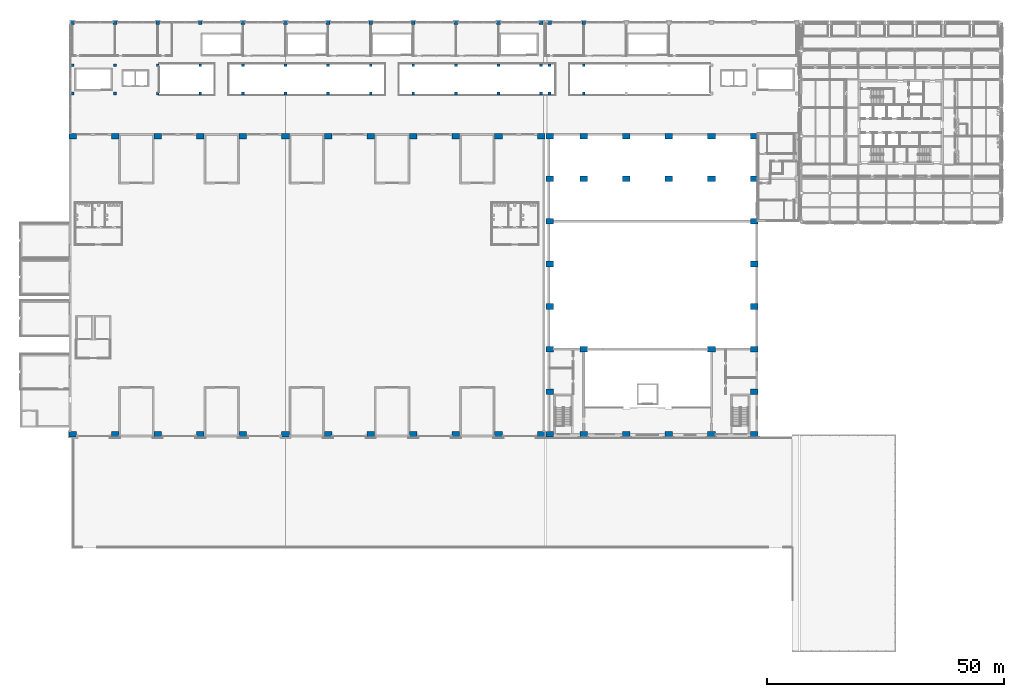
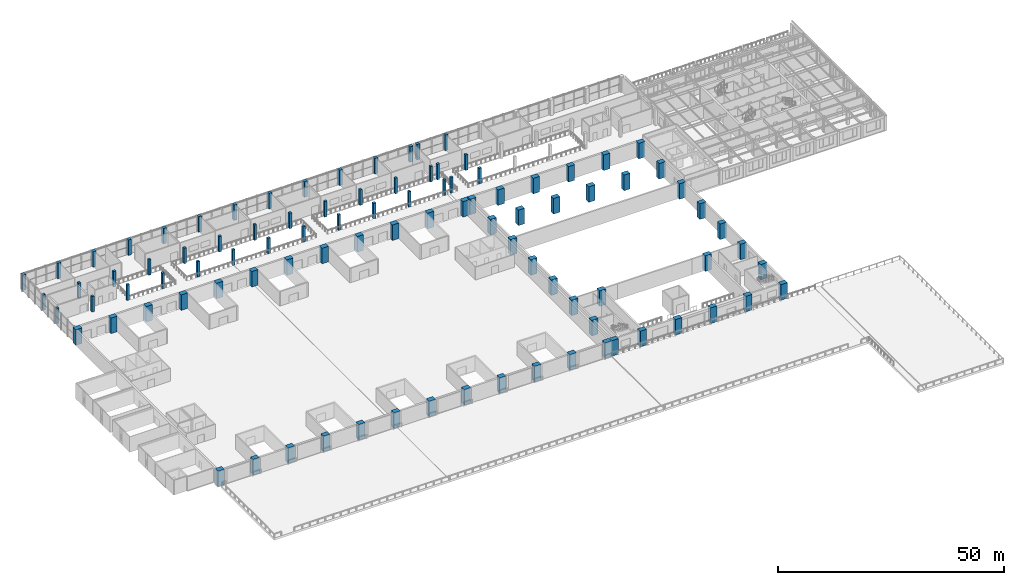
# One storey, part 1 of 39: 96 columns.
"""IFC4 building model written with IfcOpenShell, lengths in metres."""

from ifc_helpers import new_model, si_unit, direction, frame, origin, origin_2d, place, context, subcontext, project, spatial, rectangle, extrude, material, material_profile, profile_set, type_object, element, save


model = new_model("IFC4")

# Units and contexts
model_context = context("Model", 3, precision=1e-05, world=origin(), true_north=direction((0.0, 1.0)))
body_context = subcontext(model_context, "Body", "Model", "MODEL_VIEW")
ifc_project = project(units=[si_unit("LENGTHUNIT", "METRE"), si_unit("AREAUNIT", "SQUARE_METRE"), si_unit("VOLUMEUNIT", "CUBIC_METRE"), si_unit("PLANEANGLEUNIT", "RADIAN"), si_unit("MASSUNIT", "GRAM", prefix="KILO")], contexts=[model_context])

# Site, building, storey
site_placement = place(None, origin())
site = spatial("IfcSite", under=ifc_project, at=site_placement, CompositionType="ELEMENT")
building_placement = place(site_placement, origin())
building = spatial("IfcBuilding", under=site, at=building_placement, Name="Aravalli Gate Trade Fair Centre", CompositionType="ELEMENT")
storey_placement = place(building_placement, frame((0.0, 0.0, 15.0)))
storey = spatial("IfcBuildingStorey", under=building, at=storey_placement, Name="L03", CompositionType="ELEMENT", Elevation=15.0)

# Columns
ifc_material = material(Name="Concrete M45", Category="concrete")
ifc_material_profile_1 = material_profile(ifc_material, rectangle(XDim=1.60009765625, YDim=1.199951171875, at=origin_2d()), Name="RC 1600x1200")
ifc_profile_set_1 = profile_set([ifc_material_profile_1], Name="Concrete M45")
column_type_1 = type_object("IfcColumnType", Name="Congress RC column 1600 x 1200", PredefinedType="COLUMN", material=ifc_profile_set_1)
for number, where, z_axis, x_axis, name in (
    (1, (106.800048828125, 46.0, 0.0), (0.0, 0.0, 1.0), (1.0, 0.0, 0.0), "Congress column 106.8/46 L03"),
    (2, (114.0, 46.0, 0.0), (0.0, 0.0, 1.0), (1.0, 0.0, 0.0), "Congress column 114.0/46 L03"),
    (3, (123.0, 46.0, 0.0), (0.0, 0.0, 1.0), (1.0, 0.0, 0.0), "Congress column 123.0/46 L03"),
    (4, (132.0, 46.0, 0.0), (0.0, 0.0, 1.0), (1.0, 0.0, 0.0), "Congress column 132.0/46 L03"),
    (5, (141.0, 46.0, 0.0), (0.0, 0.0, 1.0), (1.0, 0.0, 0.0), "Congress column 141.0/46 L03"),
    (6, (150.0, 46.0, 0.0), (0.0, 0.0, 1.0), (1.0, 0.0, 0.0), "Congress column 150.0/46 L03"),
    (7, (106.800048828125, 55.0, 0.0), (0.0, 0.0, 1.0), (1.0, 0.0, 0.0), "Congress column 106.8/55 L03"),
    (8, (150.0, 55.0, 0.0), (0.0, 0.0, 1.0), (1.0, 0.0, 0.0), "Congress column 150.0/55 L03"),
    (9, (106.800048828125, 64.0, 0.0), (0.0, 0.0, 1.0), (1.0, 0.0, 0.0), "Congress column 106.8/64 L03"),
    (10, (150.0, 64.0, 0.0), (0.0, 0.0, 1.0), (1.0, 0.0, 0.0), "Congress column 150.0/64 L03"),
    (11, (106.800048828125, 73.0, 0.0), (0.0, 0.0, 1.0), (1.0, 0.0, 0.0), "Congress column 106.8/73 L03"),
    (12, (150.0, 73.0, 0.0), (0.0, 0.0, 1.0), (1.0, 0.0, 0.0), "Congress column 150.0/73 L03"),
    (13, (106.800048828125, 82.0, 0.0), (0.0, 0.0, 1.0), (1.0, 0.0, 0.0), "Congress column 106.8/82 L03"),
    (14, (150.0, 82.0, 0.0), (0.0, 0.0, 1.0), (1.0, 0.0, 0.0), "Congress column 150.0/82 L03"),
    (15, (106.800048828125, 91.0, 0.0), (0.0, 0.0, 1.0), (1.0, 0.0, 0.0), "Congress column 106.8/91 L03"),
    (16, (150.0, 91.0, 0.0), (0.0, 0.0, 1.0), (1.0, 0.0, 0.0), "Congress column 150.0/91 L03"),
    (17, (106.800048828125, 100.0, 0.0), (0.0, 0.0, 1.0), (1.0, 0.0, 0.0), "Congress column 106.8/100 L03"),
    (18, (150.0, 100.0, 0.0), (0.0, 0.0, 1.0), (1.0, 0.0, 0.0), "Congress column 150.0/100 L03"),
    (19, (106.800048828125, 109.0, 0.0), (0.0, 0.0, 1.0), (1.0, 0.0, 0.0), "Congress column 106.8/109 L03"),
    (20, (114.0, 109.0, 0.0), (0.0, 0.0, 1.0), (1.0, 0.0, 0.0), "Congress column 114.0/109 L03"),
    (21, (123.0, 109.0, 0.0), (0.0, 0.0, 1.0), (1.0, 0.0, 0.0), "Congress column 123.0/109 L03"),
    (22, (132.0, 109.0, 0.0), (0.0, 0.0, 1.0), (1.0, 0.0, 0.0), "Congress column 132.0/109 L03"),
    (23, (141.0, 109.0, 0.0), (0.0, 0.0, 1.0), (1.0, 0.0, 0.0), "Congress column 141.0/109 L03"),
    (24, (150.0, 109.0, 0.0), (0.0, 0.0, 1.0), (1.0, 0.0, 0.0), "Congress column 150.0/109 L03"),
):
    element("IfcColumn", number, at=place(storey_placement, frame(where, z_axis=z_axis, x_axis=x_axis)), inside=storey, type_object=column_type_1, Name=name, PredefinedType="COLUMN", context=body_context, shape_type="SweptSolid", body=[
        extrude(rectangle(XDim=1.60009765625, YDim=1.199951171875, at=origin_2d()), origin(), (0.0, 0.0, 1.0), 4.199951171875),
    ])
ifc_material_profile_2 = material_profile(ifc_material, rectangle(XDim=1.60009765625, YDim=1.199951171875, at=origin_2d()), Name="RC 1600x1200")
ifc_profile_set_2 = profile_set([ifc_material_profile_2], Name="Concrete M45")
column_type_2 = type_object("IfcColumnType", Name="Congress RC column 1600 x 1200, heavy stack", PredefinedType="COLUMN", material=ifc_profile_set_2)
for number, where, z_axis, x_axis, name in (
    (25, (114.0, 64.0, 0.0), (0.0, 0.0, 1.0), (1.0, 0.0, 0.0), "Congress column 114.0/64 L03"),
    (26, (141.0, 64.0, 0.0), (0.0, 0.0, 1.0), (1.0, 0.0, 0.0), "Congress column 141.0/64 L03"),
    (27, (114.0, 100.0, 0.0), (0.0, 0.0, 1.0), (1.0, 0.0, 0.0), "Congress column 114.0/100 L03"),
    (28, (123.0, 100.0, 0.0), (0.0, 0.0, 1.0), (1.0, 0.0, 0.0), "Congress column 123.0/100 L03"),
    (29, (132.0, 100.0, 0.0), (0.0, 0.0, 1.0), (1.0, 0.0, 0.0), "Congress column 132.0/100 L03"),
    (30, (141.0, 100.0, 0.0), (0.0, 0.0, 1.0), (1.0, 0.0, 0.0), "Congress column 141.0/100 L03"),
):
    element("IfcColumn", number, at=place(storey_placement, frame(where, z_axis=z_axis, x_axis=x_axis)), inside=storey, type_object=column_type_2, Name=name, PredefinedType="COLUMN", context=body_context, shape_type="SweptSolid", body=[
        extrude(rectangle(XDim=1.60009765625, YDim=1.199951171875, at=origin_2d()), origin(), (0.0, 0.0, 1.0), 4.199951171875),
    ])
ifc_material_profile_3 = material_profile(ifc_material, rectangle(XDim=1.60009765625, YDim=1.199951171875, at=origin_2d()), Name="RC 1600x1200")
ifc_profile_set_3 = profile_set([ifc_material_profile_3], Name="Concrete M45")
column_type_3 = type_object("IfcColumnType", Name="Hall end-line spine column HC2", PredefinedType="COLUMN", material=ifc_profile_set_3)
for number, where, z_axis, x_axis, name in (
    (31, (6.0, 46.0, 0.0), (0.0, 0.0, 1.0), (1.0, 0.0, 0.0), "Spine column A1 L03"),
    (32, (6.0, 109.0, 0.0), (0.0, 0.0, 1.0), (1.0, 0.0, 0.0), "Spine column H1 L03"),
    (33, (105.0, 46.0, 0.0), (0.0, 0.0, 1.0), (1.0, 0.0, 0.0), "Spine column A12 L03"),
    (34, (105.0, 109.0, 0.0), (0.0, 0.0, 1.0), (1.0, 0.0, 0.0), "Spine column H12 L03"),
):
    element("IfcColumn", number, at=place(storey_placement, frame(where, z_axis=z_axis, x_axis=x_axis)), inside=storey, type_object=column_type_3, Name=name, PredefinedType="COLUMN", context=body_context, shape_type="SweptSolid", body=[
        extrude(rectangle(XDim=1.60009765625, YDim=1.199951171875, at=origin_2d()), origin(), (0.0, 0.0, 1.0), 4.199951171875),
    ])
ifc_material_profile_4 = material_profile(ifc_material, rectangle(XDim=1.60009765625, YDim=1.199951171875, at=origin_2d()), Name="RC 1600x1200")
ifc_profile_set_4 = profile_set([ifc_material_profile_4], Name="Concrete M45")
column_type_4 = type_object("IfcColumnType", Name="Hall spine column HC1", PredefinedType="COLUMN", material=ifc_profile_set_4)
for number, where, z_axis, x_axis, name in (
    (35, (15.0, 46.0, 0.0), (0.0, 0.0, 1.0), (1.0, 0.0, 0.0), "Spine column A2 L03"),
    (36, (15.0, 109.0, 0.0), (0.0, 0.0, 1.0), (1.0, 0.0, 0.0), "Spine column H2 L03"),
    (37, (24.0, 46.0, 0.0), (0.0, 0.0, 1.0), (1.0, 0.0, 0.0), "Spine column A3 L03"),
    (38, (24.0, 109.0, 0.0), (0.0, 0.0, 1.0), (1.0, 0.0, 0.0), "Spine column H3 L03"),
    (39, (33.0, 46.0, 0.0), (0.0, 0.0, 1.0), (1.0, 0.0, 0.0), "Spine column A4 L03"),
    (40, (33.0, 109.0, 0.0), (0.0, 0.0, 1.0), (1.0, 0.0, 0.0), "Spine column H4 L03"),
    (41, (42.0, 46.0, 0.0), (0.0, 0.0, 1.0), (1.0, 0.0, 0.0), "Spine column A5 L03"),
    (42, (42.0, 109.0, 0.0), (0.0, 0.0, 1.0), (1.0, 0.0, 0.0), "Spine column H5 L03"),
    (43, (51.0, 46.0, 0.0), (0.0, 0.0, 1.0), (1.0, 0.0, 0.0), "Spine column A6 L03"),
    (44, (51.0, 109.0, 0.0), (0.0, 0.0, 1.0), (1.0, 0.0, 0.0), "Spine column H6 L03"),
    (45, (60.0, 46.0, 0.0), (0.0, 0.0, 1.0), (1.0, 0.0, 0.0), "Spine column A7 L03"),
    (46, (60.0, 109.0, 0.0), (0.0, 0.0, 1.0), (1.0, 0.0, 0.0), "Spine column H7 L03"),
    (47, (69.0, 46.0, 0.0), (0.0, 0.0, 1.0), (1.0, 0.0, 0.0), "Spine column A8 L03"),
    (48, (69.0, 109.0, 0.0), (0.0, 0.0, 1.0), (1.0, 0.0, 0.0), "Spine column H8 L03"),
    (49, (78.0, 46.0, 0.0), (0.0, 0.0, 1.0), (1.0, 0.0, 0.0), "Spine column A9 L03"),
    (50, (78.0, 109.0, 0.0), (0.0, 0.0, 1.0), (1.0, 0.0, 0.0), "Spine column H9 L03"),
    (51, (87.0, 46.0, 0.0), (0.0, 0.0, 1.0), (1.0, 0.0, 0.0), "Spine column A10 L03"),
    (52, (87.0, 109.0, 0.0), (0.0, 0.0, 1.0), (1.0, 0.0, 0.0), "Spine column H10 L03"),
    (53, (96.0, 46.0, 0.0), (0.0, 0.0, 1.0), (1.0, 0.0, 0.0), "Spine column A11 L03"),
    (54, (96.0, 109.0, 0.0), (0.0, 0.0, 1.0), (1.0, 0.0, 0.0), "Spine column H11 L03"),
):
    element("IfcColumn", number, at=place(storey_placement, frame(where, z_axis=z_axis, x_axis=x_axis)), inside=storey, type_object=column_type_4, Name=name, PredefinedType="COLUMN", context=body_context, shape_type="SweptSolid", body=[
        extrude(rectangle(XDim=1.60009765625, YDim=1.199951171875, at=origin_2d()), origin(), (0.0, 0.0, 1.0), 4.199951171875),
    ])
ifc_material_profile_5 = material_profile(ifc_material, rectangle(XDim=0.60009765625, YDim=0.60009765625, at=origin_2d()), Name="RC column 600 x 600")
ifc_profile_set_5 = profile_set([ifc_material_profile_5], Name="Concrete M45")
column_type_5 = type_object("IfcColumnType", Name="RC column 600 x 600", PredefinedType="COLUMN", material=ifc_profile_set_5)
for number, where, z_axis, x_axis, name in (
    (55, (6.0, 118.0, 0.0), (0.0, 0.0, 1.0), (1.0, 0.0, 0.0), "Concourse column S01 L03"),
    (56, (6.0, 124.0, 0.0), (0.0, 0.0, 1.0), (1.0, 0.0, 0.0), "Concourse column N01 L03"),
    (57, (15.0, 118.0, 0.0), (0.0, 0.0, 1.0), (1.0, 0.0, 0.0), "Concourse column S02 L03"),
    (58, (15.0, 124.0, 0.0), (0.0, 0.0, 1.0), (1.0, 0.0, 0.0), "Concourse column N02 L03"),
    (59, (24.0, 118.0, 0.0), (0.0, 0.0, 1.0), (1.0, 0.0, 0.0), "Concourse column S03 L03"),
    (60, (24.0, 124.0, 0.0), (0.0, 0.0, 1.0), (1.0, 0.0, 0.0), "Concourse column N03 L03"),
    (61, (33.0, 118.0, 0.0), (0.0, 0.0, 1.0), (1.0, 0.0, 0.0), "Concourse column S04 L03"),
    (62, (33.0, 124.0, 0.0), (0.0, 0.0, 1.0), (1.0, 0.0, 0.0), "Concourse column N04 L03"),
    (63, (42.0, 118.0, 0.0), (0.0, 0.0, 1.0), (1.0, 0.0, 0.0), "Concourse column S05 L03"),
    (64, (42.0, 124.0, 0.0), (0.0, 0.0, 1.0), (1.0, 0.0, 0.0), "Concourse column N05 L03"),
    (65, (51.0, 118.0, 0.0), (0.0, 0.0, 1.0), (1.0, 0.0, 0.0), "Concourse column S06 L03"),
    (66, (51.0, 124.0, 0.0), (0.0, 0.0, 1.0), (1.0, 0.0, 0.0), "Concourse column N06 L03"),
    (67, (60.0, 118.0, 0.0), (0.0, 0.0, 1.0), (1.0, 0.0, 0.0), "Concourse column S07 L03"),
    (68, (60.0, 124.0, 0.0), (0.0, 0.0, 1.0), (1.0, 0.0, 0.0), "Concourse column N07 L03"),
    (69, (69.0, 118.0, 0.0), (0.0, 0.0, 1.0), (1.0, 0.0, 0.0), "Concourse column S08 L03"),
    (70, (69.0, 124.0, 0.0), (0.0, 0.0, 1.0), (1.0, 0.0, 0.0), "Concourse column N08 L03"),
    (71, (78.0, 118.0, 0.0), (0.0, 0.0, 1.0), (1.0, 0.0, 0.0), "Concourse column S09 L03"),
    (72, (78.0, 124.0, 0.0), (0.0, 0.0, 1.0), (1.0, 0.0, 0.0), "Concourse column N09 L03"),
    (73, (87.0, 118.0, 0.0), (0.0, 0.0, 1.0), (1.0, 0.0, 0.0), "Concourse column S10 L03"),
    (74, (87.0, 124.0, 0.0), (0.0, 0.0, 1.0), (1.0, 0.0, 0.0), "Concourse column N10 L03"),
    (75, (96.0, 118.0, 0.0), (0.0, 0.0, 1.0), (1.0, 0.0, 0.0), "Concourse column S11 L03"),
    (76, (96.0, 124.0, 0.0), (0.0, 0.0, 1.0), (1.0, 0.0, 0.0), "Concourse column N11 L03"),
    (77, (105.0, 118.0, 0.0), (0.0, 0.0, 1.0), (1.0, 0.0, 0.0), "Concourse column S12 L03"),
    (78, (105.0, 124.0, 0.0), (0.0, 0.0, 1.0), (1.0, 0.0, 0.0), "Concourse column N12 L03"),
    (79, (106.800048828125, 118.0, 0.0), (0.0, 0.0, 1.0), (1.0, 0.0, 0.0), "Concourse column S12A L03"),
    (80, (106.800048828125, 124.0, 0.0), (0.0, 0.0, 1.0), (1.0, 0.0, 0.0), "Concourse column N12A L03"),
    (81, (114.0, 118.0, 0.0), (0.0, 0.0, 1.0), (1.0, 0.0, 0.0), "Concourse column S13 L03"),
    (82, (114.0, 124.0, 0.0), (0.0, 0.0, 1.0), (1.0, 0.0, 0.0), "Concourse column N13 L03"),
):
    element("IfcColumn", number, at=place(storey_placement, frame(where, z_axis=z_axis, x_axis=x_axis)), inside=storey, type_object=column_type_5, Name=name, PredefinedType="COLUMN", context=body_context, shape_type="SweptSolid", body=[
        extrude(rectangle(XDim=0.60009765625, YDim=0.60009765625, at=origin_2d()), origin(), (0.0, 0.0, 1.0), 4.199951171875),
    ])
ifc_material_profile_6 = material_profile(ifc_material, rectangle(XDim=0.800048828125, YDim=0.800048828125, at=origin_2d()), Name="RC column 800 x 800")
ifc_profile_set_6 = profile_set([ifc_material_profile_6], Name="Concrete M45")
column_type_6 = type_object("IfcColumnType", Name="RC column 800 x 800", PredefinedType="COLUMN", material=ifc_profile_set_6)
for number, where, z_axis, x_axis, name in (
    (83, (6.0, 133.0, 0.0), (0.0, 0.0, 1.0), (1.0, 0.0, 0.0), "Concourse column K01 L03"),
    (84, (15.0, 133.0, 0.0), (0.0, 0.0, 1.0), (1.0, 0.0, 0.0), "Concourse column K02 L03"),
    (85, (24.0, 133.0, 0.0), (0.0, 0.0, 1.0), (1.0, 0.0, 0.0), "Concourse column K03 L03"),
    (86, (33.0, 133.0, 0.0), (0.0, 0.0, 1.0), (1.0, 0.0, 0.0), "Concourse column K04 L03"),
    (87, (42.0, 133.0, 0.0), (0.0, 0.0, 1.0), (1.0, 0.0, 0.0), "Concourse column K05 L03"),
    (88, (51.0, 133.0, 0.0), (0.0, 0.0, 1.0), (1.0, 0.0, 0.0), "Concourse column K06 L03"),
    (89, (60.0, 133.0, 0.0), (0.0, 0.0, 1.0), (1.0, 0.0, 0.0), "Concourse column K07 L03"),
    (90, (69.0, 133.0, 0.0), (0.0, 0.0, 1.0), (1.0, 0.0, 0.0), "Concourse column K08 L03"),
    (91, (78.0, 133.0, 0.0), (0.0, 0.0, 1.0), (1.0, 0.0, 0.0), "Concourse column K09 L03"),
    (92, (87.0, 133.0, 0.0), (0.0, 0.0, 1.0), (1.0, 0.0, 0.0), "Concourse column K10 L03"),
    (93, (96.0, 133.0, 0.0), (0.0, 0.0, 1.0), (1.0, 0.0, 0.0), "Concourse column K11 L03"),
    (94, (105.0, 133.0, 0.0), (0.0, 0.0, 1.0), (1.0, 0.0, 0.0), "Concourse column K12 L03"),
    (95, (106.800048828125, 133.0, 0.0), (0.0, 0.0, 1.0), (1.0, 0.0, 0.0), "Concourse column K12A L03"),
    (96, (114.0, 133.0, 0.0), (0.0, 0.0, 1.0), (1.0, 0.0, 0.0), "Concourse column K13 L03"),
):
    element("IfcColumn", number, at=place(storey_placement, frame(where, z_axis=z_axis, x_axis=x_axis)), inside=storey, type_object=column_type_6, Name=name, PredefinedType="COLUMN", context=body_context, shape_type="SweptSolid", body=[
        extrude(rectangle(XDim=0.800048828125, YDim=0.800048828125, at=origin_2d()), origin(), (0.0, 0.0, 1.0), 4.199951171875),
    ])

save(model, "model.ifc")
